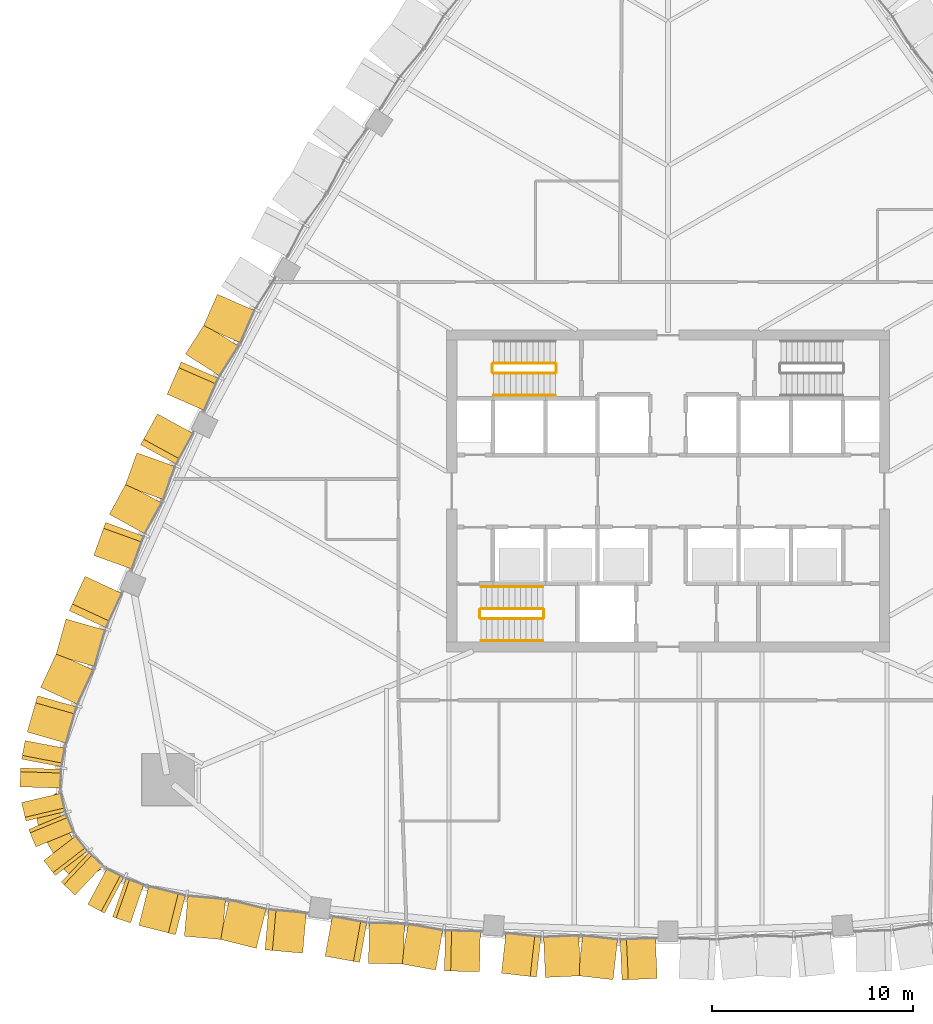
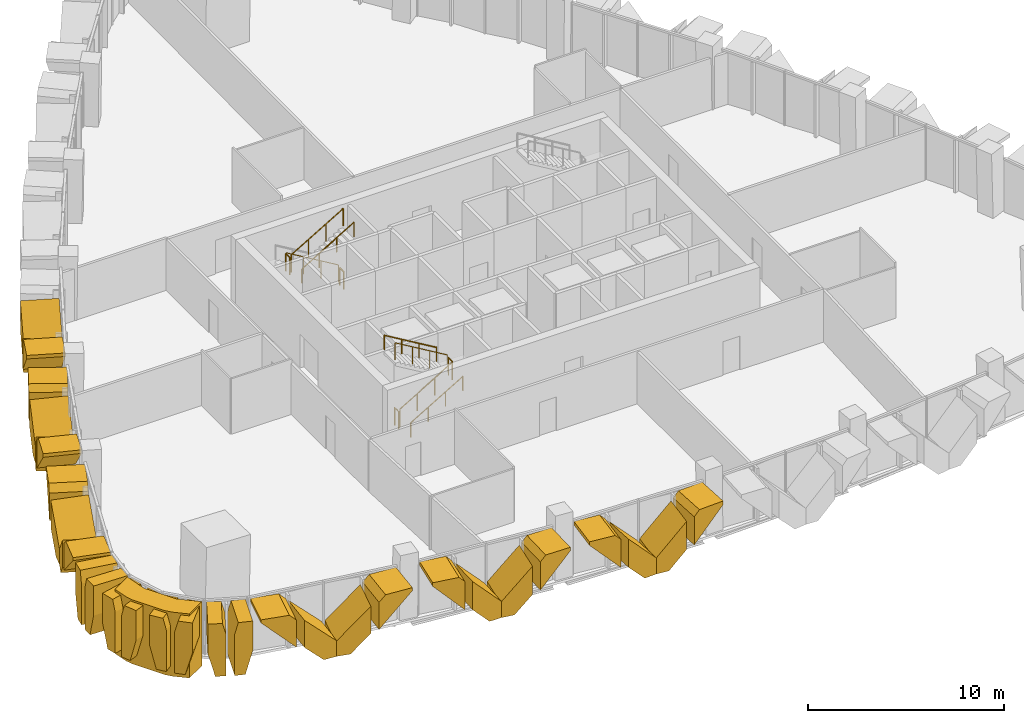
# One storey, part 15 of 18: 32 coverings, 11 railings.
"""IFC4 building model written with IfcOpenShell, lengths in metres."""

from ifc_helpers import new_model, si_unit, direction, frame, origin, origin_2d, place, context, subcontext, project, spatial, polyline, circle, outline, extrude, material, layer, layer_set, type_object, element, save


model = new_model("IFC4")

# Units and contexts
model_context = context("Model", 3, precision=1e-05, world=origin(), true_north=direction((0.0, 1.0)))
body_context = subcontext(model_context, "Body", "Model", "MODEL_VIEW")
ifc_project = project(units=[si_unit("LENGTHUNIT", "METRE"), si_unit("AREAUNIT", "SQUARE_METRE"), si_unit("VOLUMEUNIT", "CUBIC_METRE"), si_unit("PLANEANGLEUNIT", "RADIAN"), si_unit("MASSUNIT", "GRAM", prefix="KILO")], contexts=[model_context])

# Site, building, storey
site_placement = place(None, origin())
site = spatial("IfcSite", under=ifc_project, at=site_placement, CompositionType="ELEMENT")
building_placement = place(site_placement, origin())
building = spatial("IfcBuilding", under=site, at=building_placement, Name="Sierra Prisma Convention Tower", CompositionType="ELEMENT")
storey_placement = place(building_placement, frame((0.0, 0.0, 133.800048828125)))
storey = spatial("IfcBuildingStorey", under=building, at=storey_placement, Name="L28", CompositionType="ELEMENT", Elevation=133.800048828125)

# Coverings
ifc_material_1 = material(Name="Aluminium composite bronze anodised", Category="aluminium")
ifc_layer_1 = layer(ifc_material_1, 1.199951171875)
ifc_layer_set_1 = layer_set([ifc_layer_1], Name="Bronze corner pier")
covering_type_1 = type_object("IfcCoveringType", Name="Bronze corner pier", PredefinedType="CLADDING", material=ifc_layer_set_1)
covering_1_placement = place(storey_placement, frame((0.0, 0.0, -0.60009765625)))
element("IfcCovering", 1, at=covering_1_placement, inside=storey, type_object=covering_type_1, Name="Corner pier SW L28.1", PredefinedType="CLADDING", context=body_context, shape_type="SweptSolid", body=[
    extrude(outline(polyline([(-29.982421875, -18.865234375), (-30.240478515625, -18.55419921875), (-31.188720703125, -16.912109375), (-31.3291015625, -16.532958984375), (-31.49560546875, -15.6435546875), (-30.393798828125, -15.007568359375), (-30.149658203125, -16.31201171875), (-29.201416015625, -17.954345703125), (-28.19384765625, -18.818115234375), (-29.295654296875, -19.4541015625), (-29.982421875, -18.865234375)])), origin(), (0.0, 0.0, 1.0), 4.0),
])
ifc_material_2 = material(Name="Aluminium 6063-T6 bronze anodised", Category="aluminium")
ifc_layer_2 = layer(ifc_material_2, 2.0)
ifc_layer_set_2 = layer_set([ifc_layer_2], Name="Bronze crystal chevron frame")
covering_type_2 = type_object("IfcCoveringType", Name="Bronze crystal chevron frame", PredefinedType="CLADDING", material=ifc_layer_set_2)
covering_2_placement = place(storey_placement, frame((-26.3037109375, -21.595458984375, 3.280029296875), z_axis=(-0.243525094377, -0.969894594578, -6.1779533e-05), x_axis=(1.5044867e-05, 5.9919636e-05, -0.999999998092)))
element("IfcCovering", 2, at=covering_2_placement, inside=storey, type_object=covering_type_2, Name="CW-2 chevron frame S1.1.1", PredefinedType="CLADDING", context=body_context, shape_type="SweptSolid", body=[
    extrude(outline(polyline([(0.0, 0.0), (0.18749999964218336, 0.0), (2.062744138091863, 1.8798296872462419), (0.367675781951656, 1.8798296872462419), (-7.185218881300583e-09, 1.5113483886673633), (0.0, 0.0)])), origin(), (0.0, 0.0, -1.0), 2.0),
])
covering_3_placement = place(storey_placement, frame((-24.043212890625, -22.127197265625, 2.78271484375), z_axis=(-0.088705312955, -0.996057913607, -1.3960801e-05), x_axis=(1.238397e-06, 1.3905766e-05, -0.999999999903)))
element("IfcCovering", 3, at=covering_3_placement, inside=storey, type_object=covering_type_2, Name="CW-2 chevron frame S1.1.2", PredefinedType="CLADDING", context=body_context, shape_type="SweptSolid", body=[
    extrude(outline(polyline([(0.0, 0.0), (1.6950683592098124, 0.0), (2.7827148441980034, 1.090475820801253), (2.7827148436908056, 1.879968243862922), (1.8754882812792166, 1.879968243862922), (0.0, 0.0)])), origin(), (0.0, 0.0, -1.0), 2.0),
])
covering_4_placement = place(storey_placement, frame((-22.293212890625, -22.2734375, 0.0), z_axis=(-0.243356847175, -0.969936825206, -6.581119e-06), x_axis=(0.969936825227, -0.24335684718, -1.43e-10)))
element("IfcCovering", 4, at=covering_4_placement, inside=storey, type_object=covering_type_2, Name="CW-2 chevron frame S1.2.1", PredefinedType="CLADDING", context=body_context, shape_type="SweptSolid", body=[
    extrude(outline(polyline([(0.0, 0.0), (0.7896029442056715, -2.117582368135751e-22), (1.8800070504386501, 1.087646484666907), (1.880007050196695, 2.7827148440052), (-1.2949799369164786e-10, 0.9072265624803537), (0.0, 0.0)])), origin(), (0.0, 0.0, -1.0), 2.0),
])
covering_5_placement = place(storey_placement, frame((-18.16015625, -22.9716796875, 3.280029296875), z_axis=(-0.088695713946, -0.996058768479, -7.976695e-06), x_axis=(-0.996058768511, 0.088695713949, 7.9e-11)))
element("IfcCovering", 5, at=covering_5_placement, inside=storey, type_object=covering_type_2, Name="CW-2 chevron frame S1.2.2", PredefinedType="CLADDING", context=body_context, shape_type="SweptSolid", body=[
    extrude(outline(polyline([(0.0, 0.0), (1.5113262484362926, 0.0), (1.8799682438928154, 0.3676757814106982), (1.879968243758469, 2.062744140731772), (-1.4860718666981802e-11, 0.1874999999940349), (0.0, 0.0)])), origin(), (0.0, 0.0, -1.0), 2.0),
])
covering_6_placement = place(storey_placement, frame((-17.046142578125, -23.120361328125, 3.280029296875), z_axis=(-0.178001956943, -0.984030132331, 4.4586678e-05), x_axis=(-7.936516e-06, -4.3874634e-05, -0.999999999006)))
element("IfcCovering", 6, at=covering_6_placement, inside=storey, type_object=covering_type_2, Name="CW-2 chevron frame S2.1.1", PredefinedType="CLADDING", context=body_context, shape_type="SweptSolid", body=[
    extrude(outline(polyline([(0.0, 0.0), (0.2233886716529548, 3.7843513024301016e-22), (2.0893554673323083, 1.7431729013997244), (0.33154296907954905, 1.7431729013997244), (-3.938572129880461e-09, 1.4337700648405742), (0.0, 0.0)])), origin(), (0.0, 0.0, -1.0), 2.0),
])
covering_7_placement = place(storey_placement, frame((-14.889404296875, -23.47509765625, 2.809326171875), z_axis=(-0.022011240145, -0.999757722663, -3.5818365e-05), x_axis=(7.88407e-07, 3.5809687e-05, -0.999999999359)))
element("IfcCovering", 7, at=covering_7_placement, inside=storey, type_object=covering_type_2, Name="CW-2 chevron frame S2.1.2", PredefinedType="CLADDING", context=body_context, shape_type="SweptSolid", body=[
    extrude(outline(polyline([(0.0, 0.0), (1.7578124988724027, -1.8611563782443123e-22), (2.8093261748870946, 0.9821685918613325), (2.809326171421925, 1.7430972640750217), (1.8662109376519125, 1.7430972640750217), (0.0, 0.0)])), origin(), (0.0, 0.0, -1.0), 2.0),
])
covering_8_placement = place(storey_placement, frame((-12.521240234375, -23.636474609375, 0.0), z_axis=(-0.178010314701, -0.984028621464, 2.1641e-08), x_axis=(0.671632519181, -0.121497990687, 0.730854292891)))
element("IfcCovering", 8, at=covering_8_placement, inside=storey, type_object=covering_type_2, Name="CW-2 chevron frame S2.2.1", PredefinedType="CLADDING", context=body_context, shape_type="SweptSolid", body=[
    extrude(outline(polyline([(0.0, 0.0), (1.438745974544192, -1.1102230246251565e-16), (2.7234507862663264, 1.1997659487976151), (0.16974857904225749, 1.200019831442214), (-0.5195312386914379, 0.5563120730803823), (0.0, 0.0)])), origin(), (0.0, 0.0, -1.0), 2.0),
])
covering_9_placement = place(storey_placement, frame((-9.370849609375, -23.89404296875, 3.280029296875), z_axis=(-0.021984205937, -0.999758318063, -1.2378315e-05), x_axis=(-0.99975831814, 0.021984205939, 2.12e-10)))
element("IfcCovering", 9, at=covering_9_placement, inside=storey, type_object=covering_type_2, Name="CW-2 chevron frame S2.2.2", PredefinedType="CLADDING", context=body_context, shape_type="SweptSolid", body=[
    extrude(outline(polyline([(0.0, 0.0), (1.43369556844811, 1.0587911840678754e-22), (1.7433413460066332, 0.33154296914452813), (1.743341345634441, 2.0893554690098597), (-4.729942242591844e-11, 0.2233886718578859), (0.0, 0.0)])), origin(), (0.0, 0.0, -1.0), 2.0),
])
covering_10_placement = place(storey_placement, frame((-8.281494140625, -23.966552734375, 3.280029296875), z_axis=(-0.111815544828, -0.993728978428, -3.6988176e-05), x_axis=(4.135853e-06, 3.6756223e-05, -0.999999999316)))
element("IfcCovering", 10, at=covering_10_placement, inside=storey, type_object=covering_type_2, Name="CW-2 chevron frame S3.1.1", PredefinedType="CLADDING", context=body_context, shape_type="SweptSolid", body=[
    extrude(outline(polyline([(0.0, 0.0), (0.22094726547385823, 0.0), (2.0876464834035175, 1.75121489992444), (0.3337402346032992, 1.75121489992444), (-2.7018468508015198e-09, 1.4382265351041055), (0.0, 0.0)])), origin(), (0.0, 0.0, -1.0), 2.0),
])
covering_11_placement = place(storey_placement, frame((-6.097900390625, -24.17724609375, 2.8076171875), z_axis=(0.044996827624, -0.998987128432, -5.2264997e-05), x_axis=(-2.351759e-06, 5.2212059e-05, -0.999999998634)))
element("IfcCovering", 11, at=covering_11_placement, inside=storey, type_object=covering_type_2, Name="CW-2 chevron frame S3.1.2", PredefinedType="CLADDING", context=body_context, shape_type="SweptSolid", body=[
    extrude(outline(polyline([(0.0, 0.0), (1.7539062476044887, 0.0), (2.8076171939049255, 0.9885589256571422), (2.8076171865436628, 1.7512880242825293), (1.8666992190787826, 1.7512880242825293), (0.0, 0.0)])), origin(), (0.0, 0.0, -1.0), 2.0),
])
covering_12_placement = place(storey_placement, frame((-4.47265625, -24.09423828125, 0.0), z_axis=(-0.111661308062, -0.993746321847, 9.884471e-06), x_axis=(0.993746321895, -0.111661308068, -3.45e-10)))
element("IfcCovering", 12, at=covering_12_placement, inside=storey, type_object=covering_type_2, Name="CW-2 chevron frame S3.2.1", PredefinedType="CLADDING", context=body_context, shape_type="SweptSolid", body=[
    extrude(outline(polyline([(0.0, 0.0), (0.762830108886915, 1.0587911840678754e-22), (1.7514302331701097, 1.0537109381559837), (1.7514302325647468, 2.8076171880703034), (-3.247590350409181e-10, 0.940917968704035), (0.0, 0.0)])), origin(), (0.0, 0.0, -1.0), 2.0),
])
covering_13_placement = place(storey_placement, frame((-0.53955078125, -24.225830078125, 3.280029296875), z_axis=(0.045043514966, -0.998985022572, -8.0223814e-05), x_axis=(-0.998985025787, -0.045043515111, 8.837e-09)))
element("IfcCovering", 13, at=covering_13_placement, inside=storey, type_object=covering_type_2, Name="CW-2 chevron frame S3.2.2", PredefinedType="CLADDING", context=body_context, shape_type="SweptSolid", body=[
    extrude(outline(polyline([(0.0, 0.0), (1.4382344852967306, 0.0), (1.7512880219944766, 0.33374025092533255), (1.7512880064949594, 2.0876464952813847), (-1.9525422079911696e-09, 0.22094726491400712), (0.0, 0.0)])), origin(), (0.0, 0.0, -1.0), 2.0),
])
covering_14_placement = place(storey_placement, frame((-22.40185546875, 9.77880859375, 2.8076171875), z_axis=(-0.916495336703, 0.400045369553, 1.0035108e-05), x_axis=(-9.19713e-06, 4.014498e-06, -0.99999999995)))
element("IfcCovering", 14, at=covering_14_placement, inside=storey, type_object=covering_type_2, Name="CW-2 chevron frame NW4.1.2", PredefinedType="CLADDING", context=body_context, shape_type="SweptSolid", body=[
    extrude(outline(polyline([(0.0, 0.0), (1.7539062499116878, -7.4280819007261885e-22), (2.807617187736122, 0.9885712142052954), (2.807617187464744, 1.751486096142851), (1.8666992187621207, 1.751486096142851), (0.0, 0.0)])), origin(), (0.0, 0.0, -1.0), 2.0),
])
covering_15_placement = place(storey_placement, frame((-23.0439453125, 8.283203125, 0.0), z_axis=(-0.842602780105, 0.538535564962, -1.5195764e-05), x_axis=(-0.538535565024, -0.842602780202, -8.16e-10)))
element("IfcCovering", 15, at=covering_15_placement, inside=storey, type_object=covering_type_2, Name="CW-2 chevron frame NW4.2.1", PredefinedType="CLADDING", context=body_context, shape_type="SweptSolid", body=[
    extrude(outline(polyline([(0.0, 0.0), (0.7625847992827766, 0.0), (1.7512339081316584, 1.0537109390506545), (1.75123390670048, 2.8076171888481563), (-7.677841413205239e-10, 0.9409179686413657), (0.0, 0.0)])), origin(), (0.0, 0.0, -1.0), 2.0),
])
covering_16_placement = place(storey_placement, frame((-24.896484375, 4.811279296875, 3.280029296875), z_axis=(-0.916470853758, 0.400101454886, -3.208385e-06), x_axis=(0.400101454888, 0.916470853763, 1.4e-11)))
element("IfcCovering", 16, at=covering_16_placement, inside=storey, type_object=covering_type_2, Name="CW-2 chevron frame NW4.2.2", PredefinedType="CLADDING", context=body_context, shape_type="SweptSolid", body=[
    extrude(outline(polyline([(0.0, 0.0), (1.4382483566005262, 2.117582368135751e-22), (1.7512623457385579, 0.3337402344014706), (1.7512623457137677, 2.0876464843924434), (-3.1229319540058057e-12, 0.22094726562386283), (0.0, 0.0)])), origin(), (0.0, 0.0, -1.0), 2.0),
])
covering_17_placement = place(storey_placement, frame((-25.378173828125, 3.83154296875, 3.280029296875), z_axis=(-0.876747627938, 0.48095072191, -1.21368e-07), x_axis=(1.06409e-07, -5.8372e-08, -1.0)))
element("IfcCovering", 17, at=covering_17_placement, inside=storey, type_object=covering_type_2, Name="CW-2 chevron frame NW5.1.1", PredefinedType="CLADDING", context=body_context, shape_type="SweptSolid", body=[
    extrude(outline(polyline([(0.0, 0.0), (0.22338867187499836, 0.0), (2.08935546874999, 1.7431701489083165), (0.33154296875000244, 1.7431701489083165), (-2.918361409738648e-14, 1.43352090510174), (0.0, 0.0)])), origin(), (0.0, 0.0, -1.0), 2.0),
])
covering_18_placement = place(storey_placement, frame((-26.398681640625, 1.89892578125, 2.809326171875), z_axis=(-0.941223462981, 0.337784535932, -4.382003e-06), x_axis=(4.124444e-06, -1.480173e-06, -0.99999999999)))
element("IfcCovering", 18, at=covering_18_placement, inside=storey, type_object=covering_type_2, Name="CW-2 chevron frame NW5.1.2", PredefinedType="CLADDING", context=body_context, shape_type="SweptSolid", body=[
    extrude(outline(polyline([(0.0, 0.0), (1.7578124999831233, 0.0), (2.809326171920082, 0.9822906344432071), (2.8093261718682188, 1.7433347645097756), (1.8662109375022737, 1.7433347645097756), (0.0, 0.0)])), origin(), (0.0, 0.0, -1.0), 2.0),
])
covering_19_placement = place(storey_placement, frame((-26.9365234375, 0.371337890625, 0.0), z_axis=(-0.876751977403, 0.480942792749, -1.4954213e-05), x_axis=(-0.480942792802, -0.876751977501, -7.94e-10)))
element("IfcCovering", 19, at=covering_19_placement, inside=storey, type_object=covering_type_2, Name="CW-2 chevron frame NW5.2.1", PredefinedType="CLADDING", context=body_context, shape_type="SweptSolid", body=[
    extrude(outline(polyline([(0.0, 0.0), (0.7610098635059259, 0.0), (1.74317014800282, 1.0515136733761075), (1.7431701466076654, 2.809326173179559), (-7.485391983243034e-10, 0.9431152342695464), (0.0, 0.0)])), origin(), (0.0, 0.0, -1.0), 2.0),
])
covering_20_placement = place(storey_placement, frame((-28.5458984375, -3.2021484375, 3.280029296875), z_axis=(-0.941221099783, 0.337791117048, 5.0666425e-05), x_axis=(0.337791117482, 0.941221100991, 3.547e-09)))
element("IfcCovering", 20, at=covering_20_placement, inside=storey, type_object=covering_type_2, Name="CW-2 chevron frame NW5.2.2", PredefinedType="CLADDING", context=body_context, shape_type="SweptSolid", body=[
    extrude(outline(polyline([(0.0, 0.0), (1.4336686040674385, -6.776263578034403e-21), (1.7433347632587917, 0.3315429753600004), (1.7433347570229816, 2.0893554731037716), (-7.924675349713244e-10, 0.22338867158827094), (0.0, 0.0)])), origin(), (0.0, 0.0, -1.0), 2.0),
])
covering_21_placement = place(storey_placement, frame((-28.97412109375, -4.2412109375, 3.280029296875), z_axis=(-0.906981918522, 0.421169555568, -7.0261833e-05), x_axis=(6.3726212e-05, -2.9592145e-05, -0.999999997532)))
element("IfcCovering", 21, at=covering_21_placement, inside=storey, type_object=covering_type_2, Name="CW-2 chevron frame NW6.1.1", PredefinedType="CLADDING", context=body_context, shape_type="SweptSolid", body=[
    extrude(outline(polyline([(0.0, 0.0), (0.18749999953718202, 6.352747104407253e-22), (2.062744137348514, 1.8799352067070076), (0.36767578215755714, 1.8799352067070076), (-9.293722533802653e-09, 1.5115023654063808), (0.0, 0.0)])), origin(), (0.0, 0.0, -1.0), 2.0),
])
covering_22_placement = place(storey_placement, frame((-29.920654296875, -6.36181640625, 2.78271484375), z_axis=(-0.961721826661, 0.274027604359, 1.316363e-05), x_axis=(-1.2659751e-05, 3.607198e-06, -0.999999999913)))
element("IfcCovering", 22, at=covering_22_placement, inside=storey, type_object=covering_type_2, Name="CW-2 chevron frame NW6.1.2", PredefinedType="CLADDING", context=body_context, shape_type="SweptSolid", body=[
    extrude(outline(polyline([(0.0, 0.0), (1.6950683592281384, 0.0), (2.7827148441483014, 1.090333260163803), (2.7827148436973728, 1.8798213799532704), (1.8754882812759752, 1.8798213799532704), (0.0, 0.0)])), origin(), (0.0, 0.0, -1.0), 2.0),
])
covering_23_placement = place(storey_placement, frame((-30.392578125, -8.053466796875, 0.0), z_axis=(-0.906966874756, 0.421201956328, -9.049113e-06), x_axis=(-0.421201956345, -0.906966874793, -2.7e-10)))
element("IfcCovering", 23, at=covering_23_placement, inside=storey, type_object=covering_type_2, Name="CW-2 chevron frame NW6.2.1", PredefinedType="CLADDING", context=body_context, shape_type="SweptSolid", body=[
    extrude(outline(polyline([(0.0, 0.0), (0.7895046162863109, 0.0), (1.8797137768314134, 1.0876464849268797), (1.879713776373903, 2.782714844232478), (-2.448666202019028e-10, 0.9072265624628554), (0.0, 0.0)])), origin(), (0.0, 0.0, -1.0), 2.0),
])
covering_24_placement = place(storey_placement, frame((-31.854248046875, -11.98193359375, 3.280029296875), z_axis=(-0.961687541269, 0.274147900825, -3.7977432e-05), x_axis=(0.274147901022, 0.961687541962, 1.796e-09)))
element("IfcCovering", 24, at=covering_24_placement, inside=storey, type_object=covering_type_2, Name="CW-2 chevron frame NW6.2.2", PredefinedType="CLADDING", context=body_context, shape_type="SweptSolid", body=[
    extrude(outline(polyline([(0.0, 0.0), (1.5115030793156903, -3.3881317890172014e-21), (1.8798882970170805, 0.3676757848920992), (1.8798882939721309, 2.062744143044713), (-3.36817133665655e-10, 0.18749999986478574), (0.0, 0.0)])), origin(), (0.0, 0.0, -1.0), 2.0),
])
covering_25_placement = place(storey_placement, frame((-31.954833984375, -12.40478515625, 3.280029296875), z_axis=(-0.982073175413, 0.188500074445, -8.23377e-06), x_axis=(8.086164e-06, -1.552066e-06, -0.999999999966)))
element("IfcCovering", 25, at=covering_25_placement, inside=storey, type_object=covering_type_2, Name="CW-2 chevron frame SW1.1.1", PredefinedType="CLADDING", context=body_context, shape_type="SweptSolid", body=[
    extrude(outline(polyline([(0.0, 0.0), (1.842529296812543, 0.0), (3.2800292964110813, 0.3818534959592721), (3.2800292967664326, 0.9377085135955765), (0.6989746093539234, 0.9377085135955765), (-7.473708138586294e-10, 0.7520239011187263), (0.0, 0.0)])), origin(), (0.0, 0.0, -1.0), 2.0),
])
covering_26_placement = place(storey_placement, frame((-32.198974609375, -14.322021484375, 0.0), z_axis=(-0.999461498082, 0.032813316468, 1.0713639e-05), x_axis=(-0.00841775366, -0.256712085201, 0.966451264542)))
element("IfcCovering", 26, at=covering_26_placement, inside=storey, type_object=covering_type_2, Name="CW-2 chevron frame SW1.1.2", PredefinedType="CLADDING", context=body_context, shape_type="SweptSolid", body=[
    extrude(outline(polyline([(0.0, 0.0), (1.487400403397232, 0.0), (3.268115172318221, 0.4732537598368096), (3.074872150946813, 1.2003704375578446), (2.3516637527587347, 1.2002577717802958), (-0.14279981382834517, 0.5373137212973553), (0.0, 0.0)])), origin(), (0.0, 0.0, -1.0), 2.0),
])
covering_27_placement = place(storey_placement, frame((-32.132568359375, -15.486083984375, 3.280029296875), z_axis=(-0.972849590387, -0.23143827355, 4.486739e-06), x_axis=(-4.364922e-06, -1.038403e-06, -0.99999999999)))
element("IfcCovering", 27, at=covering_27_placement, inside=storey, type_object=covering_type_2, Name="CW-2 chevron frame SW2.1.1", PredefinedType="CLADDING", context=body_context, shape_type="SweptSolid", body=[
    extrude(outline(polyline([(0.0, 0.0), (1.8425292968564542, 0.0), (3.280029296926879, 0.38194768838129667), (3.2800292968655826, 0.9378143419191068), (0.698974609391562, 0.9378143419191068), (-2.3279468267188824e-11, 0.7521107693998681), (0.0, 0.0)])), origin(), (0.0, 0.0, -1.0), 2.0),
])
covering_28_placement = place(storey_placement, frame((-31.56787109375, -17.33447265625, 0.0), z_axis=(-0.924737510629, -0.3806054866, 2.395986e-06), x_axis=(0.097766797593, -0.237532859136, 0.966446994987)))
element("IfcCovering", 28, at=covering_28_placement, inside=storey, type_object=covering_type_2, Name="CW-2 chevron frame SW2.1.2", PredefinedType="CLADDING", context=body_context, shape_type="SweptSolid", body=[
    extrude(outline(polyline([(0.0, 0.0), (1.487406973881278, 0.0), (3.2681138760213857, 0.4732833596206122), (3.0748981608713106, 1.2002486124122194), (2.351710184522605, 1.2000470964158392), (-0.14274236210853578, 0.5370615819188056), (0.0, 0.0)])), origin(), (0.0, 0.0, -1.0), 2.0),
])
covering_29_placement = place(storey_placement, frame((-31.029052734375, -18.36865234375, 3.280029296875), z_axis=(-0.792228837895, -0.61022411325, -4.018658e-06), x_axis=(3.183697e-06, 2.452282e-06, -0.999999999992)))
element("IfcCovering", 29, at=covering_29_placement, inside=storey, type_object=covering_type_2, Name="CW-2 chevron frame SW3.1.1", PredefinedType="CLADDING", context=body_context, shape_type="SweptSolid", body=[
    extrude(outline(polyline([(0.0, 0.0), (1.8425292968601221, 0.0), (3.2800292973497323, 0.38191786091748164), (3.2800292969195666, 0.9377728699225607), (0.6989746094404079, 0.9377728699225607), (4.3500693435395646e-10, 0.7520165276850872), (0.0, 0.0)])), origin(), (0.0, 0.0, -1.0), 2.0),
])
covering_30_placement = place(storey_placement, frame((-30.1591796875, -19.4404296875, 0.0), z_axis=(-0.686776860038, -0.72686831302, -6.578179e-06), x_axis=(0.726868313036, -0.686776860053, 4.81e-10)))
element("IfcCovering", 30, at=covering_30_placement, inside=storey, type_object=covering_type_2, Name="CW-2 chevron frame SW3.1.2", PredefinedType="CLADDING", context=body_context, shape_type="SweptSolid", body=[
    extrude(outline(polyline([(0.0, 0.0), (0.5555840874082805, 2.117582368135751e-22), (0.9377767796986721, 1.4374999995144107), (0.937776780584121, 3.280029296349545), (0.1854806729003568, 3.280029297235937), (1.2403558798882379e-09, 2.581054687444156), (0.0, 0.0)])), origin(), (0.0, 0.0, -1.0), 2.0),
])
covering_31_placement = place(storey_placement, frame((-28.839599609375, -20.5439453125, 3.280029296875), z_axis=(-0.471411342333, -0.881913457303, -1.2119783e-05), x_axis=(5.713403e-06, 1.06886e-05, -0.999999999927)))
element("IfcCovering", 31, at=covering_31_placement, inside=storey, type_object=covering_type_2, Name="CW-2 chevron frame SW4.1.1", PredefinedType="CLADDING", context=body_context, shape_type="SweptSolid", body=[
    extrude(outline(polyline([(0.0, 0.0), (1.8425292967396762, 0.0), (3.280029295733167, 0.3820659525965431), (3.2800292966233195, 0.9379025230935725), (0.6989746093128837, 0.9379025230935725), (-1.7624470777567442e-09, 0.752226451203514), (0.0, 0.0)])), origin(), (0.0, 0.0, -1.0), 2.0),
])
covering_32_placement = place(storey_placement, frame((-27.0810546875, -21.34619140625, 0.0), z_axis=(-0.327781436726, -0.944753581472, -5.815334e-06), x_axis=(0.242562374066, -0.084162754627, 0.966478207422)))
element("IfcCovering", 32, at=covering_32_placement, inside=storey, type_object=covering_type_2, Name="CW-2 chevron frame SW4.1.2", PredefinedType="CLADDING", context=body_context, shape_type="SweptSolid", body=[
    extrude(outline(polyline([(0.0, 0.0), (1.4873589366546722, 0.0), (3.2681233486203736, 0.47306692846184334), (3.075003404693408, 1.2000277559683579), (2.351803311655209, 1.1999596698523027), (-0.14272979597714722, 0.5372773367797429), (0.0, 0.0)])), origin(), (0.0, 0.0, -1.0), 2.0),
])

# Railings
ifc_material_3 = material(Name="Stainless steel", Category="steel")
railing_type_1 = type_object("IfcRailingType", Name="Exit stair handrail", PredefinedType="HANDRAIL", material=ifc_material_3)
railing_1_placement = place(storey_placement, frame((-9.300048828125, -7.449951171875, 0.16650390625)))
element("IfcRailing", 33, at=railing_1_placement, inside=storey, type_object=railing_type_1, Name="L28 S1 stair handrail 1", PredefinedType="HANDRAIL", context=body_context, shape_type="SweptSolid", body=[
    extrude(circle(Radius=0.02392578125, at=origin_2d()), frame((0.0, 0.0, 0.8759765625), z_axis=(0.85927862911, 0.0, 0.511507807912), x_axis=(0.0, 1.0, 0.0)), (0.0, 0.0, 1.0), 3.58447265625),
    extrude(circle(Radius=0.02099609375, at=origin_2d()), origin(), (0.0, 0.0, 1.0), 0.851806640625),
    extrude(circle(Radius=0.02099609375, at=origin_2d()), frame((1.026611328125, 0.0, 0.611083984375)), (0.0, 0.0, 1.0), 0.851806640625),
    extrude(circle(Radius=0.02099609375, at=origin_2d()), frame((2.053466796875, 0.0, 1.222412109375)), (0.0, 0.0, 1.0), 0.851806640625),
    extrude(circle(Radius=0.02099609375, at=origin_2d()), frame((3.080078125, 0.0, 1.83349609375)), (0.0, 0.0, 1.0), 0.851806640625),
])
railing_2_placement = place(storey_placement, frame((-6.219970703125, -4.75, 2.16650390625)))
element("IfcRailing", 34, at=railing_2_placement, inside=storey, type_object=railing_type_1, Name="L28 S1 stair handrail 2", PredefinedType="HANDRAIL", context=body_context, shape_type="SweptSolid", body=[
    extrude(circle(Radius=0.02392578125, at=origin_2d()), frame((0.0, 0.0, 0.8759765625), z_axis=(-0.85927862911, 0.0, 0.511507807912), x_axis=(0.0, -1.0, 0.0)), (0.0, 0.0, 1.0), 3.58447265625),
    extrude(circle(Radius=0.02099609375, at=origin_2d()), origin(), (0.0, 0.0, 1.0), 0.851806640625),
    extrude(circle(Radius=0.02099609375, at=origin_2d()), frame((-1.026611328125, 0.0, 0.611083984375)), (0.0, 0.0, 1.0), 0.851806640625),
    extrude(circle(Radius=0.02099609375, at=origin_2d()), frame((-2.053466796875, 0.0, 1.222412109375)), (0.0, 0.0, 1.0), 0.851806640625),
    extrude(circle(Radius=0.02099609375, at=origin_2d()), frame((-3.080078125, 0.0, 1.83349609375)), (0.0, 0.0, 1.0), 0.851806640625),
])
railing_3_placement = place(storey_placement, frame((-8.679931640625, 4.75, 2.16650390625)))
element("IfcRailing", 35, at=railing_3_placement, inside=storey, type_object=railing_type_1, Name="L28 S3 stair handrail 2", PredefinedType="HANDRAIL", context=body_context, shape_type="SweptSolid", body=[
    extrude(circle(Radius=0.02392578125, at=origin_2d()), frame((0.0, 0.0, 0.8759765625), z_axis=(0.859260807169, 0.0, 0.511537745687), x_axis=(0.0, 1.0, 0.0)), (0.0, 0.0, 1.0), 3.584228515625),
    extrude(circle(Radius=0.02099609375, at=origin_2d()), origin(), (0.0, 0.0, 1.0), 0.851806640625),
    extrude(circle(Radius=0.02099609375, at=origin_2d()), frame((1.026611328125, 0.0, 0.611083984375)), (0.0, 0.0, 1.0), 0.851806640625),
    extrude(circle(Radius=0.02099609375, at=origin_2d()), frame((2.05322265625, 0.0, 1.222412109375)), (0.0, 0.0, 1.0), 0.851806640625),
    extrude(circle(Radius=0.02099609375, at=origin_2d()), frame((3.079833984375, 0.0, 1.83349609375)), (0.0, 0.0, 1.0), 0.851806640625),
])
ifc_material_4 = material(Name="Stainless steel", Category="steel")
railing_type_2 = type_object("IfcRailingType", Name="Stair guard 1100", PredefinedType="GUARDRAIL", material=ifc_material_4)
railing_4_placement = place(storey_placement, frame((-9.300048828125, -6.35009765625, 0.16650390625)))
element("IfcRailing", 36, at=railing_4_placement, inside=storey, type_object=railing_type_2, Name="L28 S1 stair guard 1", PredefinedType="GUARDRAIL", context=body_context, shape_type="SweptSolid", body=[
    extrude(circle(Radius=0.02392578125, at=origin_2d()), frame((0.0, 0.0, 1.076171875), z_axis=(0.85927862911, 0.0, 0.511507807912), x_axis=(0.0, 1.0, 0.0)), (0.0, 0.0, 1.0), 3.58447265625),
    extrude(circle(Radius=0.02099609375, at=origin_2d()), origin(), (0.0, 0.0, 1.0), 1.052001953125),
    extrude(circle(Radius=0.02099609375, at=origin_2d()), frame((1.026611328125, 0.0, 0.611083984375)), (0.0, 0.0, 1.0), 1.052001953125),
    extrude(circle(Radius=0.02099609375, at=origin_2d()), frame((2.053466796875, 0.0, 1.222412109375)), (0.0, 0.0, 1.0), 1.052001953125),
    extrude(circle(Radius=0.02099609375, at=origin_2d()), frame((3.080078125, 0.0, 1.83349609375)), (0.0, 0.0, 1.0), 1.052001953125),
])
railing_5_placement = place(storey_placement, frame((-6.169921875, -6.300048828125, 2.0)))
element("IfcRailing", 37, at=railing_5_placement, inside=storey, type_object=railing_type_2, Name="L28 S1 stair guard 2", PredefinedType="GUARDRAIL", context=body_context, shape_type="SweptSolid", body=[
    extrude(circle(Radius=0.02392578125, at=origin_2d()), frame((0.0, 0.0, 1.076171875), z_axis=(0.0, 1.0, 0.0), x_axis=(-1.0, 0.0, 0.0)), (0.0, 0.0, 1.0), 0.400146484375),
    extrude(circle(Radius=0.02099609375, at=origin_2d()), origin(), (0.0, 0.0, 1.0), 1.052001953125),
    extrude(circle(Radius=0.02099609375, at=origin_2d()), frame((0.0, 0.400146484375, 0.0)), (0.0, 0.0, 1.0), 1.052001953125),
])
railing_6_placement = place(storey_placement, frame((-6.219970703125, -5.85009765625, 2.16650390625)))
element("IfcRailing", 38, at=railing_6_placement, inside=storey, type_object=railing_type_2, Name="L28 S1 stair guard 3", PredefinedType="GUARDRAIL", context=body_context, shape_type="SweptSolid", body=[
    extrude(circle(Radius=0.02392578125, at=origin_2d()), frame((0.0, 0.0, 1.076171875), z_axis=(-0.85927862911, 0.0, 0.511507807912), x_axis=(0.0, -1.0, 0.0)), (0.0, 0.0, 1.0), 3.58447265625),
    extrude(circle(Radius=0.02099609375, at=origin_2d()), origin(), (0.0, 0.0, 1.0), 1.052001953125),
    extrude(circle(Radius=0.02099609375, at=origin_2d()), frame((-1.026611328125, 0.0, 0.611083984375)), (0.0, 0.0, 1.0), 1.052001953125),
    extrude(circle(Radius=0.02099609375, at=origin_2d()), frame((-2.053466796875, 0.0, 1.222412109375)), (0.0, 0.0, 1.0), 1.052001953125),
    extrude(circle(Radius=0.02099609375, at=origin_2d()), frame((-3.080078125, 0.0, 1.83349609375)), (0.0, 0.0, 1.0), 1.052001953125),
])
railing_7_placement = place(storey_placement, frame((-9.35009765625, -6.300048828125, 0.0)))
element("IfcRailing", 39, at=railing_7_placement, inside=storey, type_object=railing_type_2, Name="L28 S1 stair guard 4", PredefinedType="GUARDRAIL", context=body_context, shape_type="SweptSolid", body=[
    extrude(circle(Radius=0.02392578125, at=origin_2d()), frame((0.0, 0.0, 1.076171875), z_axis=(0.0, 1.0, 0.0), x_axis=(-1.0, 0.0, 0.0)), (0.0, 0.0, 1.0), 0.400146484375),
    extrude(circle(Radius=0.02099609375, at=origin_2d()), origin(), (0.0, 0.0, 1.0), 1.052001953125),
    extrude(circle(Radius=0.02099609375, at=origin_2d()), frame((0.0, 0.400146484375, 0.0)), (0.0, 0.0, 1.0), 1.052001953125),
])
railing_8_placement = place(storey_placement, frame((-5.60009765625, 6.35009765625, 0.16650390625)))
element("IfcRailing", 40, at=railing_8_placement, inside=storey, type_object=railing_type_2, Name="L28 S3 stair guard 1", PredefinedType="GUARDRAIL", context=body_context, shape_type="SweptSolid", body=[
    extrude(circle(Radius=0.02392578125, at=origin_2d()), frame((0.0, 0.0, 1.076171875), z_axis=(-0.859260807169, 0.0, 0.511537745687), x_axis=(0.0, -1.0, 0.0)), (0.0, 0.0, 1.0), 3.584228515625),
    extrude(circle(Radius=0.02099609375, at=origin_2d()), origin(), (0.0, 0.0, 1.0), 1.052001953125),
    extrude(circle(Radius=0.02099609375, at=origin_2d()), frame((-1.026611328125, 0.0, 0.611083984375)), (0.0, 0.0, 1.0), 1.052001953125),
    extrude(circle(Radius=0.02099609375, at=origin_2d()), frame((-2.05322265625, 0.0, 1.222412109375)), (0.0, 0.0, 1.0), 1.052001953125),
    extrude(circle(Radius=0.02099609375, at=origin_2d()), frame((-3.079833984375, 0.0, 1.83349609375)), (0.0, 0.0, 1.0), 1.052001953125),
])
railing_9_placement = place(storey_placement, frame((-8.72998046875, 6.300048828125, 2.0)))
element("IfcRailing", 41, at=railing_9_placement, inside=storey, type_object=railing_type_2, Name="L28 S3 stair guard 2", PredefinedType="GUARDRAIL", context=body_context, shape_type="SweptSolid", body=[
    extrude(circle(Radius=0.02392578125, at=origin_2d()), frame((0.0, 0.0, 1.076171875), z_axis=(0.0, -1.0, 0.0), x_axis=(1.0, 0.0, 0.0)), (0.0, 0.0, 1.0), 0.400146484375),
    extrude(circle(Radius=0.02099609375, at=origin_2d()), origin(), (0.0, 0.0, 1.0), 1.052001953125),
    extrude(circle(Radius=0.02099609375, at=origin_2d()), frame((0.0, -0.400146484375, 0.0)), (0.0, 0.0, 1.0), 1.052001953125),
])
railing_10_placement = place(storey_placement, frame((-8.679931640625, 5.85009765625, 2.16650390625)))
element("IfcRailing", 42, at=railing_10_placement, inside=storey, type_object=railing_type_2, Name="L28 S3 stair guard 3", PredefinedType="GUARDRAIL", context=body_context, shape_type="SweptSolid", body=[
    extrude(circle(Radius=0.02392578125, at=origin_2d()), frame((0.0, 0.0, 1.076171875), z_axis=(0.859260807169, 0.0, 0.511537745687), x_axis=(0.0, 1.0, 0.0)), (0.0, 0.0, 1.0), 3.584228515625),
    extrude(circle(Radius=0.02099609375, at=origin_2d()), origin(), (0.0, 0.0, 1.0), 1.052001953125),
    extrude(circle(Radius=0.02099609375, at=origin_2d()), frame((1.026611328125, 0.0, 0.611083984375)), (0.0, 0.0, 1.0), 1.052001953125),
    extrude(circle(Radius=0.02099609375, at=origin_2d()), frame((2.05322265625, 0.0, 1.222412109375)), (0.0, 0.0, 1.0), 1.052001953125),
    extrude(circle(Radius=0.02099609375, at=origin_2d()), frame((3.079833984375, 0.0, 1.83349609375)), (0.0, 0.0, 1.0), 1.052001953125),
])
railing_11_placement = place(storey_placement, frame((-5.550048828125, 6.300048828125, 0.0)))
element("IfcRailing", 43, at=railing_11_placement, inside=storey, type_object=railing_type_2, Name="L28 S3 stair guard 4", PredefinedType="GUARDRAIL", context=body_context, shape_type="SweptSolid", body=[
    extrude(circle(Radius=0.02392578125, at=origin_2d()), frame((0.0, 0.0, 1.076171875), z_axis=(0.0, -1.0, 0.0), x_axis=(1.0, 0.0, 0.0)), (0.0, 0.0, 1.0), 0.400146484375),
    extrude(circle(Radius=0.02099609375, at=origin_2d()), origin(), (0.0, 0.0, 1.0), 1.052001953125),
    extrude(circle(Radius=0.02099609375, at=origin_2d()), frame((0.0, -0.400146484375, 0.0)), (0.0, 0.0, 1.0), 1.052001953125),
])

save(model, "model.ifc")
